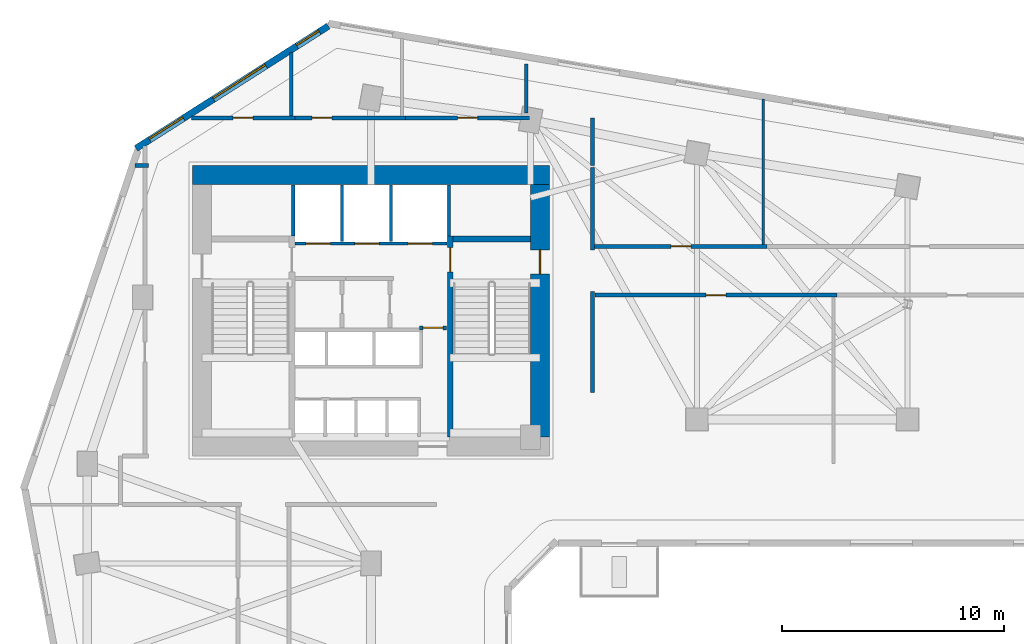
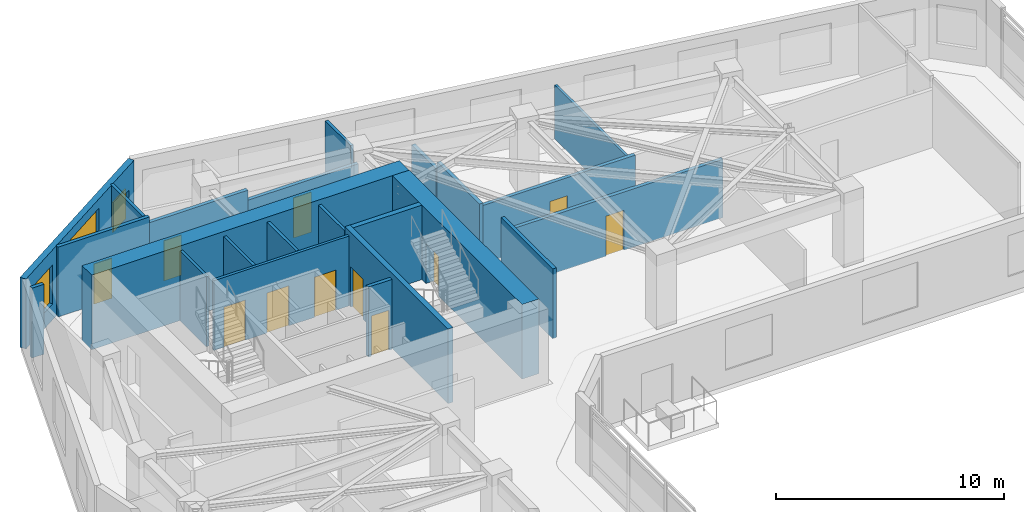
# One storey, part 8 of 11: 23 walls, 11 doors, 3 windows, 14 openings.
"""IFC4 building model written with IfcOpenShell, lengths in metres."""

from ifc_helpers import new_model, si_unit, direction, frame, frame_2d, origin, place, context, subcontext, project, spatial, rectangle, extrude, source, transform, mapped, material, layer, layer_set, type_object, element, fill, save


model = new_model("IFC4")

# Units and contexts
model_context = context("Model", 3, precision=1e-05, world=origin(), true_north=direction((0.0, 1.0)))
body_context = subcontext(model_context, "Body", "Model", "MODEL_VIEW")
ifc_project = project(units=[si_unit("LENGTHUNIT", "METRE"), si_unit("AREAUNIT", "SQUARE_METRE"), si_unit("VOLUMEUNIT", "CUBIC_METRE"), si_unit("PLANEANGLEUNIT", "RADIAN"), si_unit("MASSUNIT", "GRAM", prefix="KILO")], contexts=[model_context])

# Site, building, storey
site_placement = place(None, origin())
site = spatial("IfcSite", under=ifc_project, at=site_placement, CompositionType="ELEMENT")
building_placement = place(site_placement, origin())
building = spatial("IfcBuilding", under=site, at=building_placement, Name="Calvemar Wedge Station Tower", CompositionType="ELEMENT")
storey_placement = place(building_placement, frame((0.0, 0.0, 47.0)))
storey = spatial("IfcBuildingStorey", under=building, at=storey_placement, Name="L11", CompositionType="ELEMENT", Elevation=47.0)

# Wall, opening, door
ifc_material_1 = material(Name="Concrete C50", Category="concrete")
ifc_layer_1 = layer(ifc_material_1, 0.260009765625)
ifc_layer_set_1 = layer_set([ifc_layer_1], Name="Concrete C50")
wall_type_1 = type_object("IfcWallType", Name="SW-CORE-260", PredefinedType="SHEAR", material=ifc_layer_set_1)
wall_1_placement = place(storey_placement, frame((27.3701171875, 34.199951171875, 0.0), z_axis=(0.0, 0.0, 1.0), x_axis=(0.0, 1.0, 0.0)))
wall_1 = element("IfcWall", 1, at=wall_1_placement, inside=storey, type_object=wall_type_1, Name="Storey L11 Core Shear Wall SPINE-E", PredefinedType="SHEAR", context=body_context, shape_type="SweptSolid", body=[
    extrude(rectangle(XDim=9.06005859375, YDim=0.260009765625, at=frame_2d((4.530029296875, 0.0))), origin(), (0.0, 0.0, 1.0), 4.0),
])
shared_shape_1 = source(origin(), body_context, "Body", "SweptSolid", [
    extrude(rectangle(XDim=1.10009765625, YDim=2.14990234375, at=frame_2d((0.550048828125, 1.074951171875))), frame((0.0, 0.14013671875, 0.0), z_axis=(0.0, -1.0, 0.0), x_axis=(1.0, 0.0, 0.0)), (0.0, 0.0, 1.0), 0.280029296875),
])
opening_1_placement = place(wall_1_placement, frame((7.449951171875, 0.0, 0.0)))
opening_1 = element("IfcOpeningElement", 2, at=opening_1_placement, cuts=wall_1, Name="Opening FD-90", PredefinedType="OPENING", context=body_context, shape_type="MappedRepresentation", body=[
    mapped(shared_shape_1, transform((0.0, 0.0, 0.0), scale=1.0)),
])
ifc_material_2 = material(Name="Galvanized fire-rated steel door leaf P-90", Category="steel")
door_type_1 = type_object("IfcDoorType", Name="DR-FD90-1100", OperationType="NOTDEFINED", PredefinedType="DOOR", material=ifc_material_2)
shared_shape_2 = source(origin(), body_context, "Body", "SweptSolid", [
    extrude(rectangle(XDim=1.10009765625, YDim=2.14990234375, at=frame_2d((0.550048828125, 1.074951171875))), frame((0.0, 0.02490234375, 0.0), z_axis=(0.0, -1.0, 0.0), x_axis=(1.0, 0.0, 0.0)), (0.0, 0.0, 1.0), 0.050048828125),
])
door_1_placement = place(opening_1_placement, origin())
door_1 = element("IfcDoor", 3, at=door_1_placement, inside=storey, type_object=door_type_1, Name="L11 FF Lobby to Stair ST-C2 Door", OperationType="SINGLE_SWING_RIGHT", OverallHeight=2.14990234375, OverallWidth=1.10009765625, PredefinedType="DOOR", context=body_context, shape_type="MappedRepresentation", body=[
    mapped(shared_shape_2, transform((0.0, 0.0, 0.0), scale=1.0)),
])
fill(opening_1, door_1)

# Walls
wall_2_placement = place(storey_placement, frame((27.5, 43.1298828125, 0.0), z_axis=(0.0, 0.0, 1.0), x_axis=(1.0, 0.0, 0.0)))
element("IfcWall", 4, at=wall_2_placement, inside=storey, type_object=wall_type_1, Name="Storey L11 Core Shear Wall STC2-N", PredefinedType="SHEAR", context=body_context, shape_type="SweptSolid", body=[
    extrude(rectangle(XDim=3.5, YDim=0.260009765625, at=frame_2d((1.75, 0.0))), origin(), (0.0, 0.0, 1.0), 4.0),
])
ifc_material_3 = material(Name="Concrete C80", Category="concrete")
ifc_layer_2 = layer(ifc_material_3, 0.85009765625)
ifc_layer_set_2 = layer_set([ifc_layer_2], Name="Concrete C80")
wall_type_2 = type_object("IfcWallType", Name="SW-CORE-850", PredefinedType="SHEAR", material=ifc_layer_set_2)
wall_3_placement = place(storey_placement, frame((15.75, 46.02490234375, 0.0), z_axis=(0.0, 0.0, 1.0), x_axis=(1.0, 0.0, 0.0)))
element("IfcWall", 5, at=wall_3_placement, inside=storey, type_object=wall_type_2, Name="Storey L11 Core Shear Wall N", PredefinedType="SHEAR", context=body_context, shape_type="SweptSolid", body=[
    extrude(rectangle(XDim=16.10009765625, YDim=0.85009765625, at=frame_2d((8.050048828125, 0.0))), origin(), (0.0, 0.0, 1.0), 4.0),
])

# Wall, opening, door
wall_4_placement = place(storey_placement, frame((31.425048828125, 34.199951171875, 0.0), z_axis=(0.0, 0.0, 1.0), x_axis=(0.0, 1.0, 0.0)))
wall_4 = element("IfcWall", 6, at=wall_4_placement, inside=storey, type_object=wall_type_2, Name="Storey L11 Core Shear Wall E", PredefinedType="SHEAR", context=body_context, shape_type="SweptSolid", body=[
    extrude(rectangle(XDim=11.400146484375, YDim=0.85009765625, at=frame_2d((5.7001953125, 0.0))), origin(), (0.0, 0.0, 1.0), 4.0),
])
shared_shape_3 = source(origin(), body_context, "Body", "SweptSolid", [
    extrude(rectangle(XDim=1.10009765625, YDim=2.14990234375, at=frame_2d((0.550048828125, 1.074951171875))), frame((0.0, 0.43505859375, 0.0), z_axis=(0.0, -1.0, 0.0), x_axis=(1.0, 0.0, 0.0)), (0.0, 0.0, 1.0), 0.8701171875),
])
opening_2_placement = place(wall_4_placement, frame((7.35009765625, 0.0, 0.0)))
opening_2 = element("IfcOpeningElement", 7, at=opening_2_placement, cuts=wall_4, Name="Opening FD-90", PredefinedType="OPENING", context=body_context, shape_type="MappedRepresentation", body=[
    mapped(shared_shape_3, transform((0.0, 0.0, 0.0), scale=1.0)),
])
door_2_placement = place(opening_2_placement, origin())
door_2 = element("IfcDoor", 8, at=door_2_placement, inside=storey, type_object=door_type_1, Name="L11 East Corridor to Exit Stair ST-C2 Door", OperationType="SINGLE_SWING_RIGHT", OverallHeight=2.14990234375, OverallWidth=1.10009765625, PredefinedType="DOOR", context=body_context, shape_type="MappedRepresentation", body=[
    mapped(shared_shape_2, transform((0.0, 0.0, 0.0), scale=1.0)),
])
fill(opening_2, door_2)

ifc_material_4 = material(Name="Double-stud fire-rated corridor partition")
ifc_layer_3 = layer(ifc_material_4, 0.179931640625)
ifc_layer_set_3 = layer_set([ifc_layer_3], Name="Double-stud fire-rated corridor partition")
wall_type_3 = type_object("IfcWallType", Name="W-CORR-180", PredefinedType="PARTITIONING", material=ifc_layer_set_3)
wall_5_placement = place(storey_placement, frame((27.199951171875, 39.1298828125, 0.0), z_axis=(0.0, 0.0, 1.0), x_axis=(-1.0, 0.0, 0.0)))
wall_5 = element("IfcWall", 9, at=wall_5_placement, inside=storey, type_object=wall_type_3, Name="Storey L11 Interior Partition WL-L11-005", PredefinedType="PARTITIONING", context=body_context, shape_type="SweptSolid", body=[
    extrude(rectangle(XDim=1.2099609375, YDim=0.179931640625, at=frame_2d((0.60498046875, 0.0))), origin(), (0.0, 0.0, 1.0), 3.75),
])
shared_shape_4 = source(origin(), body_context, "Body", "SweptSolid", [
    extrude(rectangle(XDim=0.89990234375, YDim=2.14990234375, at=frame_2d((0.449951171875, 1.074951171875))), frame((0.0, 0.10009765625, 0.0), z_axis=(0.0, -1.0, 0.0), x_axis=(1.0, 0.0, 0.0)), (0.0, 0.0, 1.0), 0.199951171875),
])
opening_3_placement = place(wall_5_placement, frame((0.155029296875, 0.0, 0.0)))
opening_3 = element("IfcOpeningElement", 10, at=opening_3_placement, cuts=wall_5, Name="Opening FD-60", PredefinedType="OPENING", context=body_context, shape_type="MappedRepresentation", body=[
    mapped(shared_shape_4, transform((0.0, 0.0, 0.0), scale=1.0)),
])
ifc_material_5 = material(Name="Fire-rated acoustic timber-core entrance door EI 60", Category="wood")
door_type_2 = type_object("IfcDoorType", Name="DR-FD60-900", OperationType="NOTDEFINED", PredefinedType="DOOR", material=ifc_material_5)
shared_shape_5 = source(origin(), body_context, "Body", "SweptSolid", [
    extrude(rectangle(XDim=0.89990234375, YDim=2.14990234375, at=frame_2d((0.449951171875, 1.074951171875))), frame((0.0, 0.02490234375, 0.0), z_axis=(0.0, -1.0, 0.0), x_axis=(1.0, 0.0, 0.0)), (0.0, 0.0, 1.0), 0.050048828125),
])
door_3_placement = place(opening_3_placement, origin())
door_3 = element("IfcDoor", 11, at=door_3_placement, inside=storey, type_object=door_type_2, Name="L11 Core Service Lobby Door", OperationType="SINGLE_SWING_LEFT", OverallHeight=2.14990234375, OverallWidth=0.89990234375, PredefinedType="DOOR", context=body_context, shape_type="MappedRepresentation", body=[
    mapped(shared_shape_5, transform((0.0, 0.0, 0.0), scale=1.0)),
])
fill(opening_3, door_3)

# Wall
wall_6_placement = place(storey_placement, frame((13.760009765625, 46.449951171875, 0.0), z_axis=(0.0, 0.0, 1.0), x_axis=(-1.0, 0.0, 0.0)))
element("IfcWall", 12, at=wall_6_placement, inside=storey, type_object=wall_type_3, Name="Storey L11 Interior Partition WL-L11-011", PredefinedType="PARTITIONING", context=body_context, shape_type="SweptSolid", body=[
    extrude(rectangle(XDim=0.60107421875, YDim=0.179931640625, at=frame_2d((0.300537109375, 0.0))), origin(), (0.0, 0.0, 1.0), 3.75),
])

# Wall, opening, door
wall_7_placement = place(storey_placement, frame((15.709716796875, 48.60009765625, 0.0), z_axis=(0.0, 0.0, 1.0), x_axis=(1.0, 0.0, 0.0)))
wall_7 = element("IfcWall", 13, at=wall_7_placement, inside=storey, type_object=wall_type_3, Name="Storey L11 Interior Partition WL-L11-012", PredefinedType="PARTITIONING", context=body_context, shape_type="SweptSolid", body=[
    extrude(rectangle(XDim=4.650390625, YDim=0.179931640625, at=frame_2d((2.3251953125, 0.0))), origin(), (0.0, 0.0, 1.0), 3.75),
])
opening_4_placement = place(wall_7_placement, frame((1.875, 0.0, 0.0)))
opening_4 = element("IfcOpeningElement", 14, at=opening_4_placement, cuts=wall_7, Name="Opening D-01", PredefinedType="OPENING", context=body_context, shape_type="MappedRepresentation", body=[
    mapped(shared_shape_4, transform((0.0, 0.0, 0.0), scale=1.0)),
])
ifc_material_6 = material(Name="Architectural hardwood acoustic swing door", Category="wood")
door_type_3 = type_object("IfcDoorType", Name="DR-INT-900", OperationType="NOTDEFINED", PredefinedType="DOOR", material=ifc_material_6)
shared_shape_6 = source(origin(), body_context, "Body", "SweptSolid", [
    extrude(rectangle(XDim=0.89990234375, YDim=2.14990234375, at=frame_2d((0.449951171875, 1.074951171875))), frame((0.0, 0.02490234375, 0.0), z_axis=(0.0, -1.0, 0.0), x_axis=(1.0, 0.0, 0.0)), (0.0, 0.0, 1.0), 0.050048828125),
])
door_4_placement = place(opening_4_placement, origin())
door_4 = element("IfcDoor", 15, at=door_4_placement, inside=storey, type_object=door_type_3, Name="L11 Male Toilet Door", OperationType="SINGLE_SWING_LEFT", OverallHeight=2.14990234375, OverallWidth=0.89990234375, PredefinedType="DOOR", context=body_context, shape_type="MappedRepresentation", body=[
    mapped(shared_shape_6, transform((0.0, 0.0, 0.0), scale=1.0)),
])
fill(opening_4, door_4)

wall_8_placement = place(storey_placement, frame((20.362060546875, 48.60009765625, 0.0), z_axis=(0.0, 0.0, 1.0), x_axis=(1.0, 0.0, 0.0)))
wall_8 = element("IfcWall", 16, at=wall_8_placement, inside=storey, type_object=wall_type_3, Name="Storey L11 Interior Partition WL-L11-013", PredefinedType="PARTITIONING", context=body_context, shape_type="SweptSolid", body=[
    extrude(rectangle(XDim=4.998046875, YDim=0.179931640625, at=frame_2d((2.4990234375, 0.0))), origin(), (0.0, 0.0, 1.0), 3.43408203125),
])
opening_5_placement = place(wall_8_placement, frame((0.76806640625, 0.0, 0.0)))
opening_5 = element("IfcOpeningElement", 17, at=opening_5_placement, cuts=wall_8, Name="Opening D-01", PredefinedType="OPENING", context=body_context, shape_type="MappedRepresentation", body=[
    mapped(shared_shape_4, transform((0.0, 0.0, 0.0), scale=1.0)),
])
door_5_placement = place(opening_5_placement, origin())
door_5 = element("IfcDoor", 18, at=door_5_placement, inside=storey, type_object=door_type_3, Name="L11 Co-Working Studio Door", OperationType="SINGLE_SWING_RIGHT", OverallHeight=2.14990234375, OverallWidth=0.89990234375, PredefinedType="DOOR", context=body_context, shape_type="MappedRepresentation", body=[
    mapped(shared_shape_6, transform((0.0, 0.0, 0.0), scale=1.0)),
])
fill(opening_5, door_5)

wall_9_placement = place(storey_placement, frame((25.362060546875, 48.60009765625, 0.0), z_axis=(0.0, 0.0, 1.0), x_axis=(1.0, 0.0, 0.0)))
wall_9 = element("IfcWall", 19, at=wall_9_placement, inside=storey, type_object=wall_type_3, Name="Storey L11 Interior Partition WL-L11-014", PredefinedType="PARTITIONING", context=body_context, shape_type="SweptSolid", body=[
    extrude(rectangle(XDim=5.597900390625, YDim=0.179931640625, at=frame_2d((2.798828125, 0.0))), origin(), (0.0, 0.0, 1.0), 2.89208984375),
])
opening_6_placement = place(wall_9_placement, frame((2.34912109375, 0.0, 0.0)))
opening_6 = element("IfcOpeningElement", 20, at=opening_6_placement, cuts=wall_9, Name="Opening D-01", PredefinedType="OPENING", context=body_context, shape_type="MappedRepresentation", body=[
    mapped(shared_shape_4, transform((0.0, 0.0, 0.0), scale=1.0)),
])
door_6_placement = place(opening_6_placement, origin())
door_6 = element("IfcDoor", 21, at=door_6_placement, inside=storey, type_object=door_type_3, Name="L11 Female Toilet Door", OperationType="SINGLE_SWING_LEFT", OverallHeight=2.14990234375, OverallWidth=0.89990234375, PredefinedType="DOOR", context=body_context, shape_type="MappedRepresentation", body=[
    mapped(shared_shape_6, transform((0.0, 0.0, 0.0), scale=1.0)),
])
fill(opening_6, door_6)

# Walls
wall_10_placement = place(storey_placement, frame((33.800048828125, 48.60009765625, 0.0), z_axis=(0.0, 0.0, 1.0), x_axis=(0.0, -1.0, 0.0)))
element("IfcWall", 22, at=wall_10_placement, inside=storey, type_object=wall_type_3, Name="Storey L11 Interior Partition WL-L11-015", PredefinedType="PARTITIONING", context=body_context, shape_type="SweptSolid", body=[
    extrude(rectangle(XDim=2.150146484375, YDim=0.179931640625, at=frame_2d((1.0751953125, 0.0))), origin(), (0.0, 0.0, 1.0), 2.89208984375),
])
wall_11_placement = place(storey_placement, frame((33.800048828125, 40.760009765625, 0.0), z_axis=(0.0, 0.0, 1.0), x_axis=(0.0, -1.0, 0.0)))
element("IfcWall", 23, at=wall_11_placement, inside=storey, type_object=wall_type_3, Name="Storey L11 Interior Partition WL-L11-016", PredefinedType="PARTITIONING", context=body_context, shape_type="SweptSolid", body=[
    extrude(rectangle(XDim=4.56005859375, YDim=0.179931640625, at=frame_2d((2.280029296875, 0.0))), origin(), (0.0, 0.0, 1.0), 3.75),
])
wall_12_placement = place(storey_placement, frame((33.800048828125, 46.35595703125, 0.0), z_axis=(0.0, 0.0, 1.0), x_axis=(0.0, -1.0, 0.0)))
element("IfcWall", 24, at=wall_12_placement, inside=storey, type_object=wall_type_3, Name="Storey L11 Interior Partition WL-L11-017", PredefinedType="PARTITIONING", context=body_context, shape_type="SweptSolid", body=[
    extrude(rectangle(XDim=3.716064453125, YDim=0.179931640625, at=frame_2d((1.85791015625, 0.0))), origin(), (0.0, 0.0, 1.0), 3.322021484375),
])

# Wall, opening, door
wall_13_placement = place(storey_placement, frame((44.826904296875, 40.60009765625, 0.0), z_axis=(0.0, 0.0, 1.0), x_axis=(-1.0, 0.0, 0.0)))
wall_13 = element("IfcWall", 25, at=wall_13_placement, inside=storey, type_object=wall_type_3, Name="Storey L11 Interior Partition WL-L11-021", PredefinedType="PARTITIONING", context=body_context, shape_type="SweptSolid", body=[
    extrude(rectangle(XDim=10.932861328125, YDim=0.179931640625, at=frame_2d((5.46630859375, 0.0))), origin(), (0.0, 0.0, 1.0), 3.125),
])
opening_7_placement = place(wall_13_placement, frame((5.0166015625, 0.0, 0.0)))
opening_7 = element("IfcOpeningElement", 26, at=opening_7_placement, cuts=wall_13, Name="Opening D-01", PredefinedType="OPENING", context=body_context, shape_type="MappedRepresentation", body=[
    mapped(shared_shape_4, transform((0.0, 0.0, 0.0), scale=1.0)),
])
door_7_placement = place(opening_7_placement, origin())
door_7 = element("IfcDoor", 27, at=door_7_placement, inside=storey, type_object=door_type_3, Name="L11 Co-Working Studio Door", OperationType="SINGLE_SWING_RIGHT", OverallHeight=2.14990234375, OverallWidth=0.89990234375, PredefinedType="DOOR", context=body_context, shape_type="MappedRepresentation", body=[
    mapped(shared_shape_6, transform((0.0, 0.0, 0.0), scale=1.0)),
])
fill(opening_7, door_7)

wall_14_placement = place(storey_placement, frame((33.89404296875, 42.800048828125, 0.0), z_axis=(0.0, 0.0, 1.0), x_axis=(1.0, 0.0, 0.0)))
wall_14 = element("IfcWall", 28, at=wall_14_placement, inside=storey, type_object=wall_type_3, Name="Storey L11 Interior Partition WL-L11-023", PredefinedType="PARTITIONING", context=body_context, shape_type="SweptSolid", body=[
    extrude(rectangle(XDim=7.765869140625, YDim=0.179931640625, at=frame_2d((3.8828125, 0.0))), origin(), (0.0, 0.0, 1.0), 3.125),
])
opening_8_placement = place(wall_14_placement, frame((3.43310546875, 0.0, 0.0)))
opening_8 = element("IfcOpeningElement", 29, at=opening_8_placement, cuts=wall_14, Name="Opening D-01", PredefinedType="OPENING", context=body_context, shape_type="MappedRepresentation", body=[
    mapped(shared_shape_4, transform((0.0, 0.0, 0.0), scale=1.0)),
])
door_8_placement = place(opening_8_placement, origin())
door_8 = element("IfcDoor", 30, at=door_8_placement, inside=storey, type_object=door_type_3, Name="L11 Meeting Room Door", OperationType="SINGLE_SWING_RIGHT", OverallHeight=2.14990234375, OverallWidth=0.89990234375, PredefinedType="DOOR", context=body_context, shape_type="MappedRepresentation", body=[
    mapped(shared_shape_6, transform((0.0, 0.0, 0.0), scale=1.0)),
])
fill(opening_8, door_8)

# Wall, openings, windows
ifc_material_7 = material(Name="Precast concrete C45", Category="concrete")
ifc_layer_4 = layer(ifc_material_7, 0.300048828125)
ifc_layer_set_4 = layer_set([ifc_layer_4], Name="Precast concrete C45")
wall_type_4 = type_object("IfcWallType", Name="W-EXT-GFRC-300", PredefinedType="SOLIDWALL", material=ifc_layer_set_4)
wall_15_placement = place(storey_placement, frame((21.875, 52.742919921875, 0.0), z_axis=(0.0, 0.0, 1.0), x_axis=(-0.843647802826, -0.536896996441, 0.0)))
wall_15 = element("IfcWall", 31, at=wall_15_placement, inside=storey, type_object=wall_type_4, Name="Storey L11 Bronze GFRC Exterior Wall 11", PredefinedType="SOLIDWALL", context=body_context, shape_type="SweptSolid", body=[
    extrude(rectangle(XDim=10.284423828125, YDim=0.300048828125, at=frame_2d((5.14208984375, 0.0))), origin(), (0.0, 0.0, 1.0), 3.75),
])
shared_shape_7 = source(origin(), body_context, "Body", "SweptSolid", [
    extrude(rectangle(XDim=1.199951171875, YDim=1.60009765625, at=frame_2d((0.60009765625, 0.800048828125))), frame((0.0, 0.16015625, 0.0), z_axis=(0.0, -1.0, 0.0), x_axis=(1.0, 0.0, 0.0)), (0.0, 0.0, 1.0), 0.320068359375),
])
opening_9_placement = place(wall_15_placement, frame((0.47900390625, 0.0, 0.85009765625)))
opening_9 = element("IfcOpeningElement", 32, at=opening_9_placement, cuts=wall_15, Name="Opening W5", PredefinedType="OPENING", context=body_context, shape_type="MappedRepresentation", body=[
    mapped(shared_shape_7, transform((0.0, 0.0, 0.0), scale=1.0)),
])
shared_shape_8 = source(origin(), body_context, "Body", "SweptSolid", [
    extrude(rectangle(XDim=2.800048828125, YDim=2.39990234375, at=frame_2d((1.39990234375, 1.199951171875))), frame((0.0, 0.16015625, 0.0), z_axis=(0.0, -1.0, 0.0), x_axis=(1.0, 0.0, 0.0)), (0.0, 0.0, 1.0), 0.320068359375),
])
opening_10_placement = place(wall_15_placement, frame((3.342041015625, 0.0, 0.85009765625)))
opening_10 = element("IfcOpeningElement", 33, at=opening_10_placement, cuts=wall_15, Name="Opening W6", PredefinedType="OPENING", context=body_context, shape_type="MappedRepresentation", body=[
    mapped(shared_shape_8, transform((0.0, 0.0, 0.0), scale=1.0)),
])
shared_shape_9 = source(origin(), body_context, "Body", "SweptSolid", [
    extrude(rectangle(XDim=1.800048828125, YDim=2.10009765625, at=frame_2d((0.89990234375, 1.050048828125))), frame((0.0, 0.16015625, 0.0), z_axis=(0.0, -1.0, 0.0), x_axis=(1.0, 0.0, 0.0)), (0.0, 0.0, 1.0), 0.320068359375),
])
opening_11_placement = place(wall_15_placement, frame((7.75390625, 0.0, 0.85009765625)))
opening_11 = element("IfcOpeningElement", 34, at=opening_11_placement, cuts=wall_15, Name="Opening W2", PredefinedType="OPENING", context=body_context, shape_type="MappedRepresentation", body=[
    mapped(shared_shape_9, transform((0.0, 0.0, 0.0), scale=1.0)),
])
ifc_material_8 = material(Name="Low-E laminated insulated glass", Category="glass")
window_type_1 = type_object("IfcWindowType", Name="WIN-EXT-2", PartitioningType="SINGLE_PANEL", PredefinedType="WINDOW", material=ifc_material_8)
shared_shape_10 = source(origin(), body_context, "Body", "SweptSolid", [
    extrude(rectangle(XDim=1.800048828125, YDim=2.10009765625, at=frame_2d((0.89990234375, 1.050048828125))), frame((0.0, -0.014892578125, 0.0), z_axis=(0.0, -1.0, 0.0), x_axis=(1.0, 0.0, 0.0)), (0.0, 0.0, 1.0), 0.06005859375),
])
window_1_placement = place(opening_11_placement, origin())
window_1 = element("IfcWindow", 35, at=window_1_placement, inside=storey, type_object=window_type_1, Name="Storey L11 Recessed Window 11.3", OverallHeight=2.10009765625, OverallWidth=1.800048828125, PartitioningType="SINGLE_PANEL", PredefinedType="WINDOW", context=body_context, shape_type="MappedRepresentation", body=[
    mapped(shared_shape_10, transform((0.0, 0.0, 0.0), scale=1.0)),
])
fill(opening_11, window_1)
window_type_2 = type_object("IfcWindowType", Name="WIN-EXT-6", PartitioningType="SINGLE_PANEL", PredefinedType="WINDOW", material=ifc_material_8)
shared_shape_11 = source(origin(), body_context, "Body", "SweptSolid", [
    extrude(rectangle(XDim=2.800048828125, YDim=2.39990234375, at=frame_2d((1.39990234375, 1.199951171875))), frame((0.0, -0.014892578125, 0.0), z_axis=(0.0, -1.0, 0.0), x_axis=(1.0, 0.0, 0.0)), (0.0, 0.0, 1.0), 0.06005859375),
])
window_2_placement = place(opening_10_placement, origin())
window_2 = element("IfcWindow", 36, at=window_2_placement, inside=storey, type_object=window_type_2, Name="Storey L11 Recessed Window 11.2", OverallHeight=2.39990234375, OverallWidth=2.800048828125, PartitioningType="SINGLE_PANEL", PredefinedType="WINDOW", context=body_context, shape_type="MappedRepresentation", body=[
    mapped(shared_shape_11, transform((0.0, 0.0, 0.0), scale=1.0)),
])
fill(opening_10, window_2)
window_type_3 = type_object("IfcWindowType", Name="WIN-EXT-5", PartitioningType="SINGLE_PANEL", PredefinedType="WINDOW", material=ifc_material_8)
shared_shape_12 = source(origin(), body_context, "Body", "SweptSolid", [
    extrude(rectangle(XDim=1.199951171875, YDim=1.60009765625, at=frame_2d((0.60009765625, 0.800048828125))), frame((0.0, -0.014892578125, 0.0), z_axis=(0.0, -1.0, 0.0), x_axis=(1.0, 0.0, 0.0)), (0.0, 0.0, 1.0), 0.06005859375),
])
window_3_placement = place(opening_9_placement, origin())
window_3 = element("IfcWindow", 37, at=window_3_placement, inside=storey, type_object=window_type_3, Name="Storey L11 Recessed Window 11.1", OverallHeight=1.60009765625, OverallWidth=1.199951171875, PartitioningType="SINGLE_PANEL", PredefinedType="WINDOW", context=body_context, shape_type="MappedRepresentation", body=[
    mapped(shared_shape_12, transform((0.0, 0.0, 0.0), scale=1.0)),
])
fill(opening_9, window_3)

# Wall, openings, doors
ifc_material_9 = material(Name="Reinforced concrete blockwork lift shaft wall", Category="masonry")
ifc_layer_5 = layer(ifc_material_9, 0.139892578125)
ifc_layer_set_5 = layer_set([ifc_layer_5], Name="Reinforced concrete blockwork lift shaft wall")
wall_type_5 = type_object("IfcWallType", Name="W-LIFT-160", PredefinedType="SOLIDWALL", material=ifc_layer_set_5)
wall_16_placement = place(storey_placement, frame((20.3701171875, 42.929931640625, 0.0), z_axis=(0.0, 0.0, 1.0), x_axis=(1.0, 0.0, 0.0)))
wall_16 = element("IfcWall", 38, at=wall_16_placement, inside=storey, type_object=wall_type_5, Name="Storey L11 Firefighting and Service Lift Shaft Front Wall", PredefinedType="SOLIDWALL", context=body_context, shape_type="SweptSolid", body=[
    extrude(rectangle(XDim=6.85986328125, YDim=0.139892578125, at=frame_2d((3.429931640625, 0.0))), origin(), (0.0, 0.0, 1.0), 3.75),
])
shared_shape_13 = source(origin(), body_context, "Body", "SweptSolid", [
    extrude(rectangle(XDim=1.10009765625, YDim=2.14990234375, at=frame_2d((0.550048828125, 1.074951171875))), frame((0.0, 0.080078125, 0.0), z_axis=(0.0, -1.0, 0.0), x_axis=(1.0, 0.0, 0.0)), (0.0, 0.0, 1.0), 0.159912109375),
])
opening_12_placement = place(wall_16_placement, frame((0.5, 0.0, 0.0)))
opening_12 = element("IfcOpeningElement", 39, at=opening_12_placement, cuts=wall_16, Name="Opening LD-FF", PredefinedType="OPENING", context=body_context, shape_type="MappedRepresentation", body=[
    mapped(shared_shape_13, transform((0.0, 0.0, 0.0), scale=1.0)),
])
opening_13_placement = place(wall_16_placement, frame((2.699951171875, 0.0, 0.0)))
opening_13 = element("IfcOpeningElement", 40, at=opening_13_placement, cuts=wall_16, Name="Opening LD-FF", PredefinedType="OPENING", context=body_context, shape_type="MappedRepresentation", body=[
    mapped(shared_shape_13, transform((0.0, 0.0, 0.0), scale=1.0)),
])
opening_14_placement = place(wall_16_placement, frame((5.10009765625, 0.0, 0.0)))
opening_14 = element("IfcOpeningElement", 41, at=opening_14_placement, cuts=wall_16, Name="Opening LD-STN", PredefinedType="OPENING", context=body_context, shape_type="MappedRepresentation", body=[
    mapped(shared_shape_13, transform((0.0, 0.0, 0.0), scale=1.0)),
])
ifc_material_10 = material(Name="Stainless steel firefighting lift sliding landing door", Category="steel")
door_type_4 = type_object("IfcDoorType", Name="DR-LD-FF-1100", OperationType="SLIDING_TO_LEFT", PredefinedType="DOOR", material=ifc_material_10)
shared_shape_14 = source(origin(), body_context, "Body", "SweptSolid", [
    extrude(rectangle(XDim=1.10009765625, YDim=2.14990234375, at=frame_2d((0.550048828125, 1.074951171875))), frame((0.0, 0.02490234375, 0.0), z_axis=(0.0, -1.0, 0.0), x_axis=(1.0, 0.0, 0.0)), (0.0, 0.0, 1.0), 0.050048828125),
])
door_9_placement = place(opening_12_placement, origin())
door_9 = element("IfcDoor", 42, at=door_9_placement, inside=storey, type_object=door_type_4, Name="L11 Lift FF-01 Sliding Landing Door", OperationType="SLIDING_TO_LEFT", OverallHeight=2.14990234375, OverallWidth=1.10009765625, PredefinedType="DOOR", context=body_context, shape_type="MappedRepresentation", body=[
    mapped(shared_shape_14, transform((0.0, 0.0, 0.0), scale=1.0)),
])
fill(opening_12, door_9)
door_10_placement = place(opening_13_placement, origin())
door_10 = element("IfcDoor", 43, at=door_10_placement, inside=storey, type_object=door_type_4, Name="L11 Lift FF-02 Sliding Landing Door", OperationType="SLIDING_TO_RIGHT", OverallHeight=2.14990234375, OverallWidth=1.10009765625, PredefinedType="DOOR", context=body_context, shape_type="MappedRepresentation", body=[
    mapped(shared_shape_14, transform((0.0, 0.0, 0.0), scale=1.0)),
])
fill(opening_13, door_10)
ifc_material_11 = material(Name="Stainless steel transit lift sliding landing door", Category="steel")
door_type_5 = type_object("IfcDoorType", Name="DR-LD-PAX-1100", OperationType="SLIDING_TO_LEFT", PredefinedType="DOOR", material=ifc_material_11)
shared_shape_15 = source(origin(), body_context, "Body", "SweptSolid", [
    extrude(rectangle(XDim=1.10009765625, YDim=2.14990234375, at=frame_2d((0.550048828125, 1.074951171875))), frame((0.0, 0.02490234375, 0.0), z_axis=(0.0, -1.0, 0.0), x_axis=(1.0, 0.0, 0.0)), (0.0, 0.0, 1.0), 0.050048828125),
])
door_11_placement = place(opening_14_placement, origin())
door_11 = element("IfcDoor", 44, at=door_11_placement, inside=storey, type_object=door_type_5, Name="L11 Lift SV-01 Sliding Landing Door", OperationType="SLIDING_TO_LEFT", OverallHeight=2.14990234375, OverallWidth=1.10009765625, PredefinedType="DOOR", context=body_context, shape_type="MappedRepresentation", body=[
    mapped(shared_shape_15, transform((0.0, 0.0, 0.0), scale=1.0)),
])
fill(opening_14, door_11)

# Walls
for number, where, z_axis, x_axis, name in (
    (45, (20.2900390625, 43.280029296875, 0.0), (0.0, 0.0, 1.0), (0.0, 1.0, 0.0), "Storey L11 Firefighting Lift Shaft Enclosure Wall W"),
    (46, (27.31005859375, 43.280029296875, 0.0), (0.0, 0.0, 1.0), (0.0, 1.0, 0.0), "Storey L11 Firefighting Lift Shaft Enclosure Wall E"),
):
    element("IfcWall", number, at=place(storey_placement, frame(where, z_axis=z_axis, x_axis=x_axis)), inside=storey, type_object=wall_type_5, Name=name, PredefinedType="SOLIDWALL", context=body_context, shape_type="SweptSolid", body=[
        extrude(rectangle(XDim=2.300048828125, YDim=0.139892578125, at=frame_2d((1.14990234375, 0.0))), origin(), (0.0, 0.0, 1.0), 3.75),
    ])
for number, where, z_axis, x_axis, name in (
    (47, (22.5, 43.02001953125, 0.0), (0.0, 0.0, 1.0), (0.0, 1.0, 0.0), "Storey L11 Firefighting Lift Shaft Enclosure Wall D1"),
    (48, (24.699951171875, 43.02001953125, 0.0), (0.0, 0.0, 1.0), (0.0, 1.0, 0.0), "Storey L11 Firefighting Lift Shaft Enclosure Wall D2"),
):
    element("IfcWall", number, at=place(storey_placement, frame(where, z_axis=z_axis, x_axis=x_axis)), inside=storey, type_object=wall_type_5, Name=name, PredefinedType="SOLIDWALL", context=body_context, shape_type="SweptSolid", body=[
        extrude(rectangle(XDim=2.56005859375, YDim=0.139892578125, at=frame_2d((1.280029296875, 0.0))), origin(), (0.0, 0.0, 1.0), 3.75),
    ])
ifc_material_12 = material(Name="Insulated acoustic gypsum stud partition")
ifc_layer_6 = layer(ifc_material_12, 0.125)
ifc_layer_set_6 = layer_set([ifc_layer_6], Name="Insulated acoustic gypsum stud partition")
wall_type_6 = type_object("IfcWallType", Name="W-PART-125", PredefinedType="PARTITIONING", material=ifc_layer_set_6)
wall_17_placement = place(storey_placement, frame((41.5, 49.442626953125, 0.0), z_axis=(0.0, 0.0, 1.0), x_axis=(0.0, -1.0, 0.0)))
element("IfcWall", 49, at=wall_17_placement, inside=storey, type_object=wall_type_6, Name="Storey L11 Interior Partition WL-L11-028", PredefinedType="PARTITIONING", context=body_context, shape_type="SweptSolid", body=[
    extrude(rectangle(XDim=6.548583984375, YDim=0.125, at=frame_2d((3.2744140625, 0.0))), origin(), (0.0, 0.0, 1.0), 2.89208984375),
])
ifc_material_13 = material(Name="Moisture-resistant acoustic bathroom partition")
ifc_layer_7 = layer(ifc_material_13, 0.14990234375)
ifc_layer_set_7 = layer_set([ifc_layer_7], Name="Moisture-resistant acoustic bathroom partition")
wall_type_7 = type_object("IfcWallType", Name="W-WET-150", PredefinedType="PARTITIONING", material=ifc_layer_set_7)
wall_18_placement = place(storey_placement, frame((20.199951171875, 51.540283203125, 0.0), z_axis=(0.0, 0.0, 1.0), x_axis=(0.0, -1.0, 0.0)))
element("IfcWall", 50, at=wall_18_placement, inside=storey, type_object=wall_type_7, Name="Storey L11 Interior Partition WL-L11-019", PredefinedType="PARTITIONING", context=body_context, shape_type="SweptSolid", body=[
    extrude(rectangle(XDim=2.84619140625, YDim=0.14990234375, at=frame_2d((1.423095703125, 0.0))), origin(), (0.0, 0.0, 1.0), 3.75),
])
wall_19_placement = place(storey_placement, frame((30.800048828125, 51.02392578125, 0.0), z_axis=(0.0, 0.0, 1.0), x_axis=(0.0, -1.0, 0.0)))
element("IfcWall", 51, at=wall_19_placement, inside=storey, type_object=wall_type_7, Name="Storey L11 Bathroom Enclosure Wall WL-L11-037", PredefinedType="PARTITIONING", context=body_context, shape_type="SweptSolid", body=[
    extrude(rectangle(XDim=2.203857421875, YDim=0.14990234375, at=frame_2d((1.10205078125, 0.0))), origin(), (0.0, 0.0, 1.0), 3.75),
])

save(model, "model.ifc")
